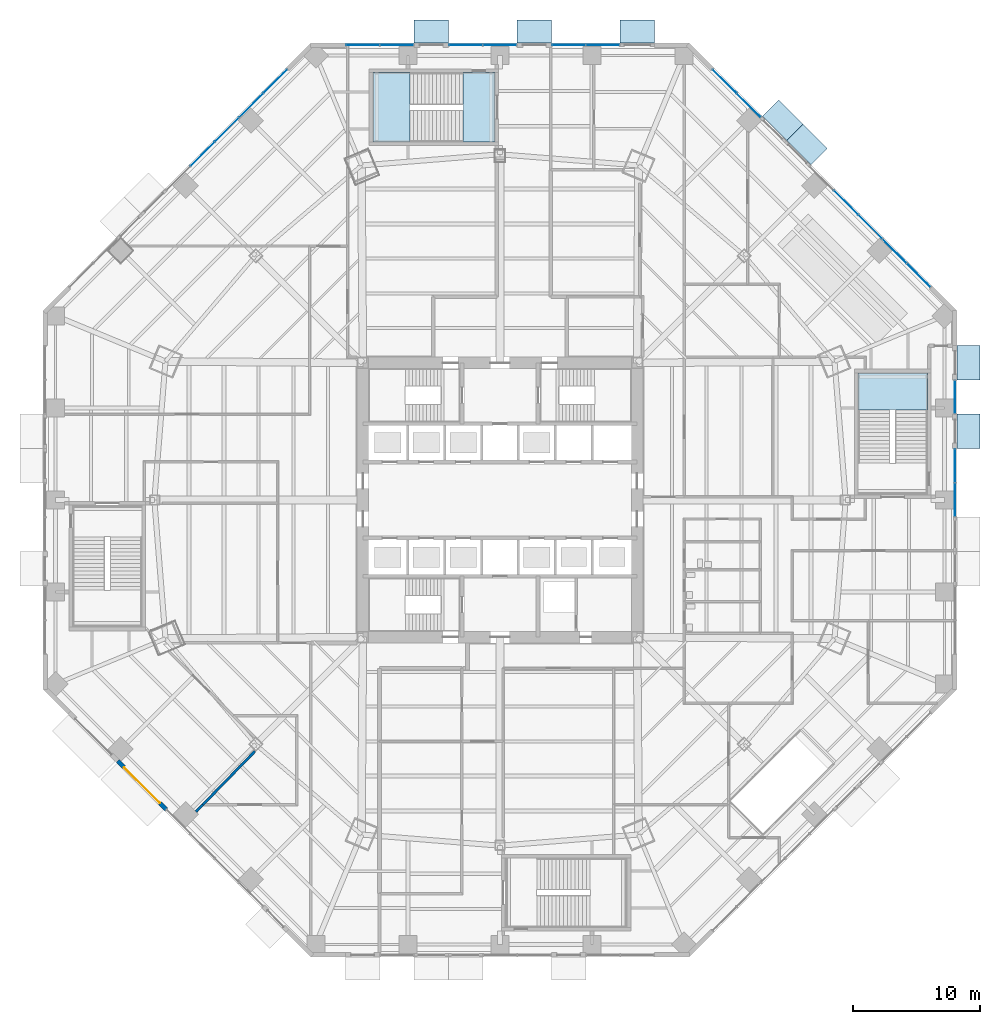
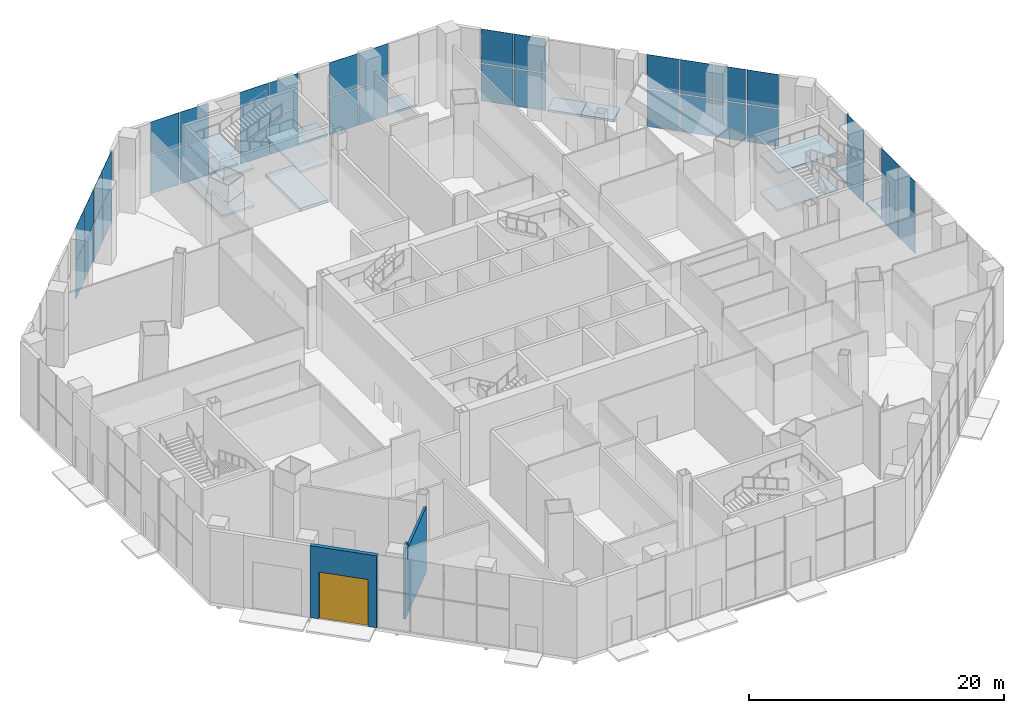
# One storey, part 18 of 35: 38 plates, 13 slabs, 3 walls, 1 door, 1 opening, 10 elements without a shape of their own.
"""IFC4 building model written with IfcOpenShell, lengths in metres."""

from ifc_helpers import new_model, si_unit, direction, frame, frame_2d, origin, origin_2d, place, context, subcontext, project, spatial, polyline, rectangle, outline, extrude, source, transform, mapped, material, layer, layer_set, type_object, type_shapes, element, fill, aggregate, save


model = new_model("IFC4")

# Units and contexts
model_context = context("Model", 3, precision=1e-05, world=origin(), true_north=direction((0.0, 1.0)))
body_context = subcontext(model_context, "Body", "Model", "MODEL_VIEW")
ifc_project = project(units=[si_unit("LENGTHUNIT", "METRE"), si_unit("AREAUNIT", "SQUARE_METRE"), si_unit("VOLUMEUNIT", "CUBIC_METRE"), si_unit("PLANEANGLEUNIT", "RADIAN"), si_unit("MASSUNIT", "GRAM", prefix="KILO")], contexts=[model_context])

# Site, building, storey
site_placement = place(None, origin())
site = spatial("IfcSite", under=ifc_project, at=site_placement, CompositionType="ELEMENT")
building_placement = place(site_placement, origin())
building = spatial("IfcBuilding", under=site, at=building_placement, Name="Mashrafa Tower", CompositionType="ELEMENT")
storey_placement = place(building_placement, origin())
storey = spatial("IfcBuildingStorey", under=building, at=storey_placement, Name="L00", CompositionType="ELEMENT", Elevation=0.0)

# Slabs
ifc_material_1 = material(Name="Concrete C35/45", Category="concrete")
ifc_layer_1 = layer(ifc_material_1, 0.169921875)
ifc_material_2 = material(Name="Limestone paving", Category="masonry")
ifc_layer_2 = layer(ifc_material_2, 0.030029296875)
ifc_layer_set_1 = layer_set([ifc_layer_1, ifc_layer_2], Name="Exterior entrance landing 200")
slab_type_1 = type_object("IfcSlabType", Name="Exterior entrance landing 200", PredefinedType="LANDING", material=ifc_layer_set_1)
slab_1_placement = place(storey_placement, frame((0.0, 0.0, -0.199951171875)))
element("IfcSlab", 1, at=slab_1_placement, inside=storey, type_object=slab_type_1, Name="Exterior landing Stair P1 exit discharge east", PredefinedType="LANDING", context=body_context, shape_type="SweptSolid", body=[
    extrude(outline(polyline([(37.800048828125, 4.055419921875), (37.800048828125, 6.75927734375), (36.0, 6.75927734375), (36.0, 4.055419921875), (37.800048828125, 4.055419921875)])), origin(), (0.0, 0.0, 1.0), 0.199951171875),
])
slab_2_placement = place(storey_placement, frame((0.0, 0.0, -0.199951171875)))
element("IfcSlab", 2, at=slab_2_placement, inside=storey, type_object=slab_type_1, Name="Exterior landing Exhibition exit passage discharge east", PredefinedType="LANDING", context=body_context, shape_type="SweptSolid", body=[
    extrude(outline(polyline([(37.800048828125, 9.462890625), (37.800048828125, 12.16650390625), (36.0, 12.16650390625), (36.0, 9.462890625), (37.800048828125, 9.462890625)])), origin(), (0.0, 0.0, 1.0), 0.199951171875),
])
slab_3_placement = place(storey_placement, frame((0.0, 0.0, -0.199951171875)))
element("IfcSlab", 3, at=slab_3_placement, inside=storey, type_object=slab_type_1, Name="Exterior landing Exhibition entrance north-east", PredefinedType="LANDING", context=body_context, shape_type="SweptSolid", body=[
    extrude(outline(polyline([(25.772705078125, 27.6845703125), (23.86083984375, 29.596435546875), (22.588134765625, 28.323486328125), (24.5, 26.41162109375), (25.772705078125, 27.6845703125)])), origin(), (0.0, 0.0, 1.0), 0.199951171875),
])
slab_4_placement = place(storey_placement, frame((0.0, 0.0, -0.199951171875)))
element("IfcSlab", 4, at=slab_4_placement, inside=storey, type_object=slab_type_1, Name="Exterior landing Exhibition entrance north-east", PredefinedType="LANDING", context=body_context, shape_type="SweptSolid", body=[
    extrude(outline(polyline([(23.86083984375, 29.596435546875), (21.94921875, 31.508056640625), (20.67626953125, 30.2353515625), (22.588134765625, 28.323486328125), (23.86083984375, 29.596435546875)])), origin(), (0.0, 0.0, 1.0), 0.199951171875),
])
slab_5_placement = place(storey_placement, frame((0.0, 0.0, -0.199951171875)))
element("IfcSlab", 5, at=slab_5_placement, inside=storey, type_object=slab_type_1, Name="Exterior landing Office lobby entrance north", PredefinedType="LANDING", context=body_context, shape_type="SweptSolid", body=[
    extrude(outline(polyline([(12.16650390625, 37.800048828125), (9.462890625, 37.800048828125), (9.462890625, 36.0), (12.16650390625, 36.0), (12.16650390625, 37.800048828125)])), origin(), (0.0, 0.0, 1.0), 0.199951171875),
])
slab_6_placement = place(storey_placement, frame((0.0, 0.0, -0.199951171875)))
element("IfcSlab", 6, at=slab_6_placement, inside=storey, type_object=slab_type_1, Name="Exterior landing Stairs S1 and S2 exit discharge north", PredefinedType="LANDING", context=body_context, shape_type="SweptSolid", body=[
    extrude(outline(polyline([(4.055419921875, 37.800048828125), (1.351806640625, 37.800048828125), (1.351806640625, 36.0), (4.055419921875, 36.0), (4.055419921875, 37.800048828125)])), origin(), (0.0, 0.0, 1.0), 0.199951171875),
])
slab_7_placement = place(storey_placement, frame((0.0, 0.0, -0.199951171875)))
element("IfcSlab", 7, at=slab_7_placement, inside=storey, type_object=slab_type_1, Name="Exterior landing Stair P2 exit discharge north", PredefinedType="LANDING", context=body_context, shape_type="SweptSolid", body=[
    extrude(outline(polyline([(-4.055419921875, 37.800048828125), (-6.75927734375, 37.800048828125), (-6.75927734375, 36.0), (-4.055419921875, 36.0), (-4.055419921875, 37.800048828125)])), origin(), (0.0, 0.0, 1.0), 0.199951171875),
])

# Stair, slabs
ifc_material_3 = material(Name="Exit stair 2500")
stair_type = type_object("IfcStairType", Name="Exit stair 2500", PredefinedType="HALF_TURN_STAIR", material=ifc_material_3)
stair_1_placement = place(storey_placement, origin())
stair_1 = element("IfcStair", 8, at=stair_1_placement, inside=storey, type_object=stair_type, Name="Stair P1 L00", PredefinedType="HALF_TURN_STAIR")
ifc_material_4 = material(Name="Concrete C32/40", Category="concrete")
ifc_layer_3 = layer(ifc_material_4, 0.199951171875)
ifc_layer_set_2 = layer_set([ifc_layer_3], Name="Stair landing 200")
slab_type_2 = type_object("IfcSlabType", Name="Stair landing 200", PredefinedType="LANDING", material=ifc_layer_set_2)
slab_8_placement = place(storey_placement, frame((0.0, 0.0, 1.60009765625)))
slab_8 = element("IfcSlab", 9, at=slab_8_placement, type_object=slab_type_2, Name="P1 landing 2", PredefinedType="LANDING", context=body_context, shape_type="SweptSolid", body=[
    extrude(outline(polyline([(33.64990234375, 7.090087890625), (33.64990234375, 10.0), (28.199951171875, 10.0), (28.199951171875, 7.090087890625), (33.64990234375, 7.090087890625)])), origin(), (0.0, 0.0, 1.0), 0.199951171875),
])
slab_9_placement = place(storey_placement, frame((0.0, 0.0, 5.199951171875)))
slab_9 = element("IfcSlab", 10, at=slab_9_placement, type_object=slab_type_2, Name="P1 landing 4", PredefinedType="LANDING", context=body_context, shape_type="SweptSolid", body=[
    extrude(outline(polyline([(33.64990234375, 7.090087890625), (33.64990234375, 10.0), (28.199951171875, 10.0), (28.199951171875, 7.090087890625), (33.64990234375, 7.090087890625)])), origin(), (0.0, 0.0, 1.0), 0.199951171875),
])
aggregate(stair_1, [slab_8, slab_9])

stair_2_placement = place(storey_placement, origin())
stair_2 = element("IfcStair", 11, at=stair_2_placement, inside=storey, type_object=stair_type, Name="Stair P2 L00", PredefinedType="HALF_TURN_STAIR")
slab_10_placement = place(storey_placement, frame((0.0, 0.0, 1.60009765625)))
slab_10 = element("IfcSlab", 12, at=slab_10_placement, type_object=slab_type_2, Name="P2 landing 2", PredefinedType="LANDING", context=body_context, shape_type="SweptSolid", body=[
    extrude(outline(polyline([(-10.0, 28.199951171875), (-7.090087890625, 28.199951171875), (-7.090087890625, 33.64990234375), (-10.0, 33.64990234375), (-10.0, 28.199951171875)])), origin(), (0.0, 0.0, 1.0), 0.199951171875),
])
slab_11_placement = place(storey_placement, frame((0.0, 0.0, 3.39990234375)))
slab_11 = element("IfcSlab", 13, at=slab_11_placement, type_object=slab_type_2, Name="P2 landing 3", PredefinedType="LANDING", context=body_context, shape_type="SweptSolid", body=[
    extrude(outline(polyline([(-2.909912109375, 28.199951171875), (-0.39990234375, 28.199951171875), (-0.39990234375, 33.64990234375), (-2.909912109375, 33.64990234375), (-2.909912109375, 28.199951171875)])), origin(), (0.0, 0.0, 1.0), 0.2001953125),
])
slab_12_placement = place(storey_placement, frame((0.0, 0.0, 5.199951171875)))
slab_12 = element("IfcSlab", 14, at=slab_12_placement, type_object=slab_type_2, Name="P2 landing 4", PredefinedType="LANDING", context=body_context, shape_type="SweptSolid", body=[
    extrude(outline(polyline([(-10.0, 28.199951171875), (-7.090087890625, 28.199951171875), (-7.090087890625, 33.64990234375), (-10.0, 33.64990234375), (-10.0, 28.199951171875)])), origin(), (0.0, 0.0, 1.0), 0.199951171875),
])
ifc_material_5 = material(Name="Concrete C32/40", Category="concrete")
ifc_layer_4 = layer(ifc_material_5, 0.300048828125)
ifc_layer_set_3 = layer_set([ifc_layer_4], Name="Stair landing 300")
slab_type_3 = type_object("IfcSlabType", Name="Stair landing 300", PredefinedType="LANDING", material=ifc_layer_set_3)
slab_13_placement = place(storey_placement, frame((0.0, 0.0, -0.300048828125)))
slab_13 = element("IfcSlab", 15, at=slab_13_placement, type_object=slab_type_3, Name="P2 landing 1", PredefinedType="LANDING", context=body_context, shape_type="SweptSolid", body=[
    extrude(outline(polyline([(-2.909912109375, 28.199951171875), (-0.39990234375, 28.199951171875), (-0.39990234375, 33.64990234375), (-2.909912109375, 33.64990234375), (-2.909912109375, 28.199951171875)])), origin(), (0.0, 0.0, 1.0), 0.300048828125),
])
aggregate(stair_2, [slab_13, slab_10, slab_11, slab_12])

# Curtain wall, plates
ifc_material_6 = material(Name="Unitised aluminium curtain wall", Category="aluminium")
curtain_wall_type = type_object("IfcCurtainWallType", Name="Podium storefront CW-P 150 deep", PredefinedType="NOTDEFINED", material=ifc_material_6)
curtain_wall_1_placement = place(storey_placement, origin())
curtain_wall_1 = element("IfcCurtainWall", 16, at=curtain_wall_1_placement, inside=storey, type_object=curtain_wall_type, Name="Podium storefront L00 east part 2", PredefinedType="NOTDEFINED")
ifc_material_7 = material(Name="Laminated storefront glazing", Category="glass")
ifc_layer_5 = layer(ifc_material_7, 0.028076171875)
ifc_layer_set_4 = layer_set([ifc_layer_5], Name="Vision panel CW-P 28")
plate_type_1 = type_object("IfcPlateType", Name="Vision panel CW-P 28", PredefinedType="CURTAIN_PANEL", material=ifc_layer_set_4)
shared_shape_1 = source(origin(), body_context, "Body", "SweptSolid", [
    extrude(rectangle(XDim=2.606201171875, YDim=0.028076171875, at=origin_2d()), origin(), (0.0, 0.0, 1.0), 3.550048828125),
])
plate_1_placement = place(storey_placement, frame((35.824951171875, 0.016357421875, 0.0), z_axis=(0.0, 0.0, 1.0), x_axis=(0.0, 1.0, 0.0)))
plate_1 = element("IfcPlate", 17, at=plate_1_placement, type_object=plate_type_1, Name="CW-P vision panel 1", PredefinedType="CURTAIN_PANEL", context=body_context, shape_type="MappedRepresentation", body=[
    mapped(shared_shape_1, transform((0.0, 0.0, 0.0))),
])
plate_2_placement = place(storey_placement, frame((35.824951171875, 2.6875, 0.0), z_axis=(0.0, 0.0, 1.0), x_axis=(0.0, 1.0, 0.0)))
plate_2 = element("IfcPlate", 18, at=plate_2_placement, type_object=plate_type_1, Name="CW-P vision panel 2", PredefinedType="CURTAIN_PANEL", context=body_context, shape_type="MappedRepresentation", body=[
    mapped(shared_shape_1, transform((0.0, 0.0, 0.0))),
])

# Curtain wall, plate
curtain_wall_2_placement = place(storey_placement, origin())
curtain_wall_2 = element("IfcCurtainWall", 19, at=curtain_wall_2_placement, inside=storey, type_object=curtain_wall_type, Name="Podium storefront L00 north-east part 1", PredefinedType="NOTDEFINED")
plate_3_placement = place(storey_placement, frame((32.9677734375, 17.696533203125, 0.0), z_axis=(0.0, 0.0, 1.0), x_axis=(-0.707106781187, 0.707106781187, 0.0)))
plate_3 = element("IfcPlate", 20, at=plate_3_placement, type_object=plate_type_1, Name="CW-P vision panel 1", PredefinedType="CURTAIN_PANEL", context=body_context, shape_type="MappedRepresentation", body=[
    mapped(shared_shape_1, transform((0.0, 0.0, 0.0))),
])

# Curtain wall, plates
curtain_wall_3_placement = place(storey_placement, origin())
curtain_wall_3 = element("IfcCurtainWall", 21, at=curtain_wall_3_placement, inside=storey, type_object=curtain_wall_type, Name="Podium storefront L00 north-east part 2", PredefinedType="NOTDEFINED")
plate_4_placement = place(storey_placement, frame((19.585205078125, 31.078857421875, 0.0), z_axis=(0.0, 0.0, 1.0), x_axis=(-0.707106781187, 0.707106781187, 0.0)))
plate_4 = element("IfcPlate", 22, at=plate_4_placement, type_object=plate_type_1, Name="CW-P vision panel 1", PredefinedType="CURTAIN_PANEL", context=body_context, shape_type="MappedRepresentation", body=[
    mapped(shared_shape_1, transform((0.0, 0.0, 0.0))),
])
plate_5_placement = place(storey_placement, frame((17.696533203125, 32.9677734375, 0.0), z_axis=(0.0, 0.0, 1.0), x_axis=(-0.707106781187, 0.707106781187, 0.0)))
plate_5 = element("IfcPlate", 23, at=plate_5_placement, type_object=plate_type_1, Name="CW-P vision panel 2", PredefinedType="CURTAIN_PANEL", context=body_context, shape_type="MappedRepresentation", body=[
    mapped(shared_shape_1, transform((0.0, 0.0, 0.0))),
])

curtain_wall_4_placement = place(storey_placement, origin())
curtain_wall_4 = element("IfcCurtainWall", 24, at=curtain_wall_4_placement, inside=storey, type_object=curtain_wall_type, Name="Podium storefront L00 north part 1", PredefinedType="NOTDEFINED")
plate_6_placement = place(storey_placement, frame((8.0947265625, 35.824951171875, 0.0), z_axis=(0.0, 0.0, 1.0), x_axis=(-1.0, 0.0, 0.0)))
plate_6 = element("IfcPlate", 25, at=plate_6_placement, type_object=plate_type_1, Name="CW-P vision panel 1", PredefinedType="CURTAIN_PANEL", context=body_context, shape_type="MappedRepresentation", body=[
    mapped(shared_shape_1, transform((0.0, 0.0, 0.0))),
])
plate_7_placement = place(storey_placement, frame((5.423583984375, 35.824951171875, 0.0), z_axis=(0.0, 0.0, 1.0), x_axis=(-1.0, 0.0, 0.0)))
plate_7 = element("IfcPlate", 26, at=plate_7_placement, type_object=plate_type_1, Name="CW-P vision panel 2", PredefinedType="CURTAIN_PANEL", context=body_context, shape_type="MappedRepresentation", body=[
    mapped(shared_shape_1, transform((0.0, 0.0, 0.0))),
])

curtain_wall_5_placement = place(storey_placement, origin())
curtain_wall_5 = element("IfcCurtainWall", 27, at=curtain_wall_5_placement, inside=storey, type_object=curtain_wall_type, Name="Podium storefront L00 north part 2", PredefinedType="NOTDEFINED")
plate_8_placement = place(storey_placement, frame((-0.016357421875, 35.824951171875, 0.0), z_axis=(0.0, 0.0, 1.0), x_axis=(-1.0, 0.0, 0.0)))
plate_8 = element("IfcPlate", 28, at=plate_8_placement, type_object=plate_type_1, Name="CW-P vision panel 1", PredefinedType="CURTAIN_PANEL", context=body_context, shape_type="MappedRepresentation", body=[
    mapped(shared_shape_1, transform((0.0, 0.0, 0.0))),
])
plate_9_placement = place(storey_placement, frame((-2.6875, 35.824951171875, 0.0), z_axis=(0.0, 0.0, 1.0), x_axis=(-1.0, 0.0, 0.0)))
plate_9 = element("IfcPlate", 29, at=plate_9_placement, type_object=plate_type_1, Name="CW-P vision panel 2", PredefinedType="CURTAIN_PANEL", context=body_context, shape_type="MappedRepresentation", body=[
    mapped(shared_shape_1, transform((0.0, 0.0, 0.0))),
])

curtain_wall_6_placement = place(storey_placement, origin())
curtain_wall_6 = element("IfcCurtainWall", 30, at=curtain_wall_6_placement, inside=storey, type_object=curtain_wall_type, Name="Podium storefront L00 north part 3", PredefinedType="NOTDEFINED")
plate_10_placement = place(storey_placement, frame((-8.127197265625, 35.824951171875, 0.0), z_axis=(0.0, 0.0, 1.0), x_axis=(-1.0, 0.0, 0.0)))
plate_10 = element("IfcPlate", 31, at=plate_10_placement, type_object=plate_type_1, Name="CW-P vision panel 1", PredefinedType="CURTAIN_PANEL", context=body_context, shape_type="MappedRepresentation", body=[
    mapped(shared_shape_1, transform((0.0, 0.0, 0.0))),
])
plate_11_placement = place(storey_placement, frame((-10.798583984375, 35.824951171875, 0.0), z_axis=(0.0, 0.0, 1.0), x_axis=(-1.0, 0.0, 0.0)))
plate_11 = element("IfcPlate", 32, at=plate_11_placement, type_object=plate_type_1, Name="CW-P vision panel 2", PredefinedType="CURTAIN_PANEL", context=body_context, shape_type="MappedRepresentation", body=[
    mapped(shared_shape_1, transform((0.0, 0.0, 0.0))),
])

# Curtain wall, plate
curtain_wall_7_placement = place(storey_placement, origin())
curtain_wall_7 = element("IfcCurtainWall", 33, at=curtain_wall_7_placement, inside=storey, type_object=curtain_wall_type, Name="Podium storefront L00 north-west part 1", PredefinedType="NOTDEFINED")
plate_12_placement = place(storey_placement, frame((-17.696533203125, 32.9677734375, 0.0), z_axis=(0.0, 0.0, 1.0), x_axis=(-0.707106781187, -0.707106781187, 0.0)))
plate_12 = element("IfcPlate", 34, at=plate_12_placement, type_object=plate_type_1, Name="CW-P vision panel 1", PredefinedType="CURTAIN_PANEL", context=body_context, shape_type="MappedRepresentation", body=[
    mapped(shared_shape_1, transform((0.0, 0.0, 0.0))),
])

# Plate
ifc_material_8 = material(Name="Laminated transom glazing", Category="glass")
ifc_layer_6 = layer(ifc_material_8, 0.02392578125)
ifc_layer_set_5 = layer_set([ifc_layer_6], Name="Transom light panel CW-P 24")
plate_type_2 = type_object("IfcPlateType", Name="Transom light panel CW-P 24", PredefinedType="CURTAIN_PANEL", material=ifc_layer_set_5)
shared_shape_2 = source(origin(), body_context, "Body", "SweptSolid", [
    extrude(rectangle(XDim=2.606201171875, YDim=0.02392578125, at=origin_2d()), origin(), (0.0, 0.0, 1.0), 3.25),
])
plate_13_placement = place(storey_placement, frame((35.824951171875, 0.016357421875, 3.64990234375), z_axis=(0.0, 0.0, 1.0), x_axis=(0.0, 1.0, 0.0)))
plate_13 = element("IfcPlate", 35, at=plate_13_placement, type_object=plate_type_2, Name="CW-P transom light panel 1", PredefinedType="CURTAIN_PANEL", context=body_context, shape_type="MappedRepresentation", body=[
    mapped(shared_shape_2, transform((0.0, 0.0, 0.0))),
])

plate_14_placement = place(storey_placement, frame((35.824951171875, 2.6875, 3.64990234375), z_axis=(0.0, 0.0, 1.0), x_axis=(0.0, 1.0, 0.0)))
plate_14 = element("IfcPlate", 36, at=plate_14_placement, type_object=plate_type_2, Name="CW-P transom light panel 2", PredefinedType="CURTAIN_PANEL", context=body_context, shape_type="MappedRepresentation", body=[
    mapped(shared_shape_2, transform((0.0, 0.0, 0.0))),
])

aggregate(curtain_wall_1, [plate_1, plate_13, plate_2, plate_14])

plate_15_placement = place(storey_placement, frame((32.9677734375, 17.696533203125, 3.64990234375), z_axis=(0.0, 0.0, 1.0), x_axis=(-0.707106781187, 0.707106781187, 0.0)))
plate_15 = element("IfcPlate", 37, at=plate_15_placement, type_object=plate_type_2, Name="CW-P transom light panel 1", PredefinedType="CURTAIN_PANEL", context=body_context, shape_type="MappedRepresentation", body=[
    mapped(shared_shape_2, transform((0.0, 0.0, 0.0))),
])

plate_16_placement = place(storey_placement, frame((19.585205078125, 31.078857421875, 3.64990234375), z_axis=(0.0, 0.0, 1.0), x_axis=(-0.707106781187, 0.707106781187, 0.0)))
plate_16 = element("IfcPlate", 38, at=plate_16_placement, type_object=plate_type_2, Name="CW-P transom light panel 1", PredefinedType="CURTAIN_PANEL", context=body_context, shape_type="MappedRepresentation", body=[
    mapped(shared_shape_2, transform((0.0, 0.0, 0.0))),
])

plate_17_placement = place(storey_placement, frame((17.696533203125, 32.9677734375, 3.64990234375), z_axis=(0.0, 0.0, 1.0), x_axis=(-0.707106781187, 0.707106781187, 0.0)))
plate_17 = element("IfcPlate", 39, at=plate_17_placement, type_object=plate_type_2, Name="CW-P transom light panel 2", PredefinedType="CURTAIN_PANEL", context=body_context, shape_type="MappedRepresentation", body=[
    mapped(shared_shape_2, transform((0.0, 0.0, 0.0))),
])

aggregate(curtain_wall_3, [plate_4, plate_16, plate_5, plate_17])

plate_18_placement = place(storey_placement, frame((8.0947265625, 35.824951171875, 3.64990234375), z_axis=(0.0, 0.0, 1.0), x_axis=(-1.0, 0.0, 0.0)))
plate_18 = element("IfcPlate", 40, at=plate_18_placement, type_object=plate_type_2, Name="CW-P transom light panel 1", PredefinedType="CURTAIN_PANEL", context=body_context, shape_type="MappedRepresentation", body=[
    mapped(shared_shape_2, transform((0.0, 0.0, 0.0))),
])

plate_19_placement = place(storey_placement, frame((5.423583984375, 35.824951171875, 3.64990234375), z_axis=(0.0, 0.0, 1.0), x_axis=(-1.0, 0.0, 0.0)))
plate_19 = element("IfcPlate", 41, at=plate_19_placement, type_object=plate_type_2, Name="CW-P transom light panel 2", PredefinedType="CURTAIN_PANEL", context=body_context, shape_type="MappedRepresentation", body=[
    mapped(shared_shape_2, transform((0.0, 0.0, 0.0))),
])

aggregate(curtain_wall_4, [plate_6, plate_18, plate_7, plate_19])

plate_20_placement = place(storey_placement, frame((-0.016357421875, 35.824951171875, 3.64990234375), z_axis=(0.0, 0.0, 1.0), x_axis=(-1.0, 0.0, 0.0)))
plate_20 = element("IfcPlate", 42, at=plate_20_placement, type_object=plate_type_2, Name="CW-P transom light panel 1", PredefinedType="CURTAIN_PANEL", context=body_context, shape_type="MappedRepresentation", body=[
    mapped(shared_shape_2, transform((0.0, 0.0, 0.0))),
])

plate_21_placement = place(storey_placement, frame((-2.6875, 35.824951171875, 3.64990234375), z_axis=(0.0, 0.0, 1.0), x_axis=(-1.0, 0.0, 0.0)))
plate_21 = element("IfcPlate", 43, at=plate_21_placement, type_object=plate_type_2, Name="CW-P transom light panel 2", PredefinedType="CURTAIN_PANEL", context=body_context, shape_type="MappedRepresentation", body=[
    mapped(shared_shape_2, transform((0.0, 0.0, 0.0))),
])

aggregate(curtain_wall_5, [plate_8, plate_20, plate_9, plate_21])

plate_22_placement = place(storey_placement, frame((-8.127197265625, 35.824951171875, 3.64990234375), z_axis=(0.0, 0.0, 1.0), x_axis=(-1.0, 0.0, 0.0)))
plate_22 = element("IfcPlate", 44, at=plate_22_placement, type_object=plate_type_2, Name="CW-P transom light panel 1", PredefinedType="CURTAIN_PANEL", context=body_context, shape_type="MappedRepresentation", body=[
    mapped(shared_shape_2, transform((0.0, 0.0, 0.0))),
])

plate_23_placement = place(storey_placement, frame((-10.798583984375, 35.824951171875, 3.64990234375), z_axis=(0.0, 0.0, 1.0), x_axis=(-1.0, 0.0, 0.0)))
plate_23 = element("IfcPlate", 45, at=plate_23_placement, type_object=plate_type_2, Name="CW-P transom light panel 2", PredefinedType="CURTAIN_PANEL", context=body_context, shape_type="MappedRepresentation", body=[
    mapped(shared_shape_2, transform((0.0, 0.0, 0.0))),
])

aggregate(curtain_wall_6, [plate_10, plate_22, plate_11, plate_23])

plate_24_placement = place(storey_placement, frame((-17.696533203125, 32.9677734375, 3.64990234375), z_axis=(0.0, 0.0, 1.0), x_axis=(-0.707106781187, -0.707106781187, 0.0)))
plate_24 = element("IfcPlate", 46, at=plate_24_placement, type_object=plate_type_2, Name="CW-P transom light panel 1", PredefinedType="CURTAIN_PANEL", context=body_context, shape_type="MappedRepresentation", body=[
    mapped(shared_shape_2, transform((0.0, 0.0, 0.0))),
])

# Curtain wall, plates
curtain_wall_8_placement = place(storey_placement, origin())
curtain_wall_8 = element("IfcCurtainWall", 47, at=curtain_wall_8_placement, inside=storey, type_object=curtain_wall_type, Name="Podium storefront L00 east part 3", PredefinedType="NOTDEFINED")
shared_shape_3 = source(origin(), body_context, "Body", "SweptSolid", [
    extrude(rectangle(XDim=2.57373046875, YDim=0.028076171875, at=origin_2d()), origin(), (0.0, 0.0, 1.0), 3.550048828125),
])
plate_25_placement = place(storey_placement, frame((35.824951171875, 8.111083984375, 0.0), z_axis=(0.0, 0.0, 1.0), x_axis=(0.0, 1.0, 0.0)))
plate_25 = element("IfcPlate", 48, at=plate_25_placement, type_object=plate_type_1, Name="CW-P vision panel 1", PredefinedType="CURTAIN_PANEL", context=body_context, shape_type="MappedRepresentation", body=[
    mapped(shared_shape_3, transform((0.0, 0.0, 0.0))),
])
shared_shape_4 = source(origin(), body_context, "Body", "SweptSolid", [
    extrude(rectangle(XDim=2.57373046875, YDim=0.02392578125, at=origin_2d()), origin(), (0.0, 0.0, 1.0), 3.25),
])
plate_26_placement = place(storey_placement, frame((35.824951171875, 8.111083984375, 3.64990234375), z_axis=(0.0, 0.0, 1.0), x_axis=(0.0, 1.0, 0.0)))
plate_26 = element("IfcPlate", 49, at=plate_26_placement, type_object=plate_type_2, Name="CW-P transom light panel 1", PredefinedType="CURTAIN_PANEL", context=body_context, shape_type="MappedRepresentation", body=[
    mapped(shared_shape_4, transform((0.0, 0.0, 0.0))),
])
aggregate(curtain_wall_8, [plate_25, plate_26])

# Plate
shared_shape_5 = source(origin(), body_context, "Body", "SweptSolid", [
    extrude(rectangle(XDim=2.638671875, YDim=0.028076171875, at=origin_2d()), origin(), (0.0, 0.0, 1.0), 3.550048828125),
])
type_shapes(plate_type_1, [shared_shape_1, shared_shape_3, shared_shape_5])
plate_27_placement = place(storey_placement, frame((31.0673828125, 19.5966796875, 0.0), z_axis=(0.0, 0.0, 1.0), x_axis=(-0.707106781187, 0.707106781187, 0.0)))
plate_27 = element("IfcPlate", 50, at=plate_27_placement, type_object=plate_type_1, Name="CW-P vision panel 2", PredefinedType="CURTAIN_PANEL", context=body_context, shape_type="MappedRepresentation", body=[
    mapped(shared_shape_5, transform((0.0, 0.0, 0.0))),
])

plate_28_placement = place(storey_placement, frame((29.15576171875, 21.508544921875, 0.0), z_axis=(0.0, 0.0, 1.0), x_axis=(-0.707106781187, 0.707106781187, 0.0)))
plate_28 = element("IfcPlate", 51, at=plate_28_placement, type_object=plate_type_1, Name="CW-P vision panel 3", PredefinedType="CURTAIN_PANEL", context=body_context, shape_type="MappedRepresentation", body=[
    mapped(shared_shape_5, transform((0.0, 0.0, 0.0))),
])

plate_29_placement = place(storey_placement, frame((27.243896484375, 23.42041015625, 0.0), z_axis=(0.0, 0.0, 1.0), x_axis=(-0.707106781187, 0.707106781187, 0.0)))
plate_29 = element("IfcPlate", 52, at=plate_29_placement, type_object=plate_type_1, Name="CW-P vision panel 4", PredefinedType="CURTAIN_PANEL", context=body_context, shape_type="MappedRepresentation", body=[
    mapped(shared_shape_5, transform((0.0, 0.0, 0.0))),
])

plate_30_placement = place(storey_placement, frame((-19.5966796875, 31.0673828125, 0.0), z_axis=(0.0, 0.0, 1.0), x_axis=(-0.707106781187, -0.707106781187, 0.0)))
plate_30 = element("IfcPlate", 53, at=plate_30_placement, type_object=plate_type_1, Name="CW-P vision panel 2", PredefinedType="CURTAIN_PANEL", context=body_context, shape_type="MappedRepresentation", body=[
    mapped(shared_shape_5, transform((0.0, 0.0, 0.0))),
])

plate_31_placement = place(storey_placement, frame((-21.508544921875, 29.15576171875, 0.0), z_axis=(0.0, 0.0, 1.0), x_axis=(-0.707106781187, -0.707106781187, 0.0)))
plate_31 = element("IfcPlate", 54, at=plate_31_placement, type_object=plate_type_1, Name="CW-P vision panel 3", PredefinedType="CURTAIN_PANEL", context=body_context, shape_type="MappedRepresentation", body=[
    mapped(shared_shape_5, transform((0.0, 0.0, 0.0))),
])

plate_32_placement = place(storey_placement, frame((-23.42041015625, 27.243896484375, 0.0), z_axis=(0.0, 0.0, 1.0), x_axis=(-0.707106781187, -0.707106781187, 0.0)))
plate_32 = element("IfcPlate", 55, at=plate_32_placement, type_object=plate_type_1, Name="CW-P vision panel 4", PredefinedType="CURTAIN_PANEL", context=body_context, shape_type="MappedRepresentation", body=[
    mapped(shared_shape_5, transform((0.0, 0.0, 0.0))),
])

shared_shape_6 = source(origin(), body_context, "Body", "SweptSolid", [
    extrude(rectangle(XDim=2.638671875, YDim=0.02392578125, at=origin_2d()), origin(), (0.0, 0.0, 1.0), 3.25),
])
type_shapes(plate_type_2, [shared_shape_2, shared_shape_4, shared_shape_6])
plate_33_placement = place(storey_placement, frame((31.0673828125, 19.5966796875, 3.64990234375), z_axis=(0.0, 0.0, 1.0), x_axis=(-0.707106781187, 0.707106781187, 0.0)))
plate_33 = element("IfcPlate", 56, at=plate_33_placement, type_object=plate_type_2, Name="CW-P transom light panel 2", PredefinedType="CURTAIN_PANEL", context=body_context, shape_type="MappedRepresentation", body=[
    mapped(shared_shape_6, transform((0.0, 0.0, 0.0))),
])

plate_34_placement = place(storey_placement, frame((29.15576171875, 21.508544921875, 3.64990234375), z_axis=(0.0, 0.0, 1.0), x_axis=(-0.707106781187, 0.707106781187, 0.0)))
plate_34 = element("IfcPlate", 57, at=plate_34_placement, type_object=plate_type_2, Name="CW-P transom light panel 3", PredefinedType="CURTAIN_PANEL", context=body_context, shape_type="MappedRepresentation", body=[
    mapped(shared_shape_6, transform((0.0, 0.0, 0.0))),
])

plate_35_placement = place(storey_placement, frame((27.243896484375, 23.42041015625, 3.64990234375), z_axis=(0.0, 0.0, 1.0), x_axis=(-0.707106781187, 0.707106781187, 0.0)))
plate_35 = element("IfcPlate", 58, at=plate_35_placement, type_object=plate_type_2, Name="CW-P transom light panel 4", PredefinedType="CURTAIN_PANEL", context=body_context, shape_type="MappedRepresentation", body=[
    mapped(shared_shape_6, transform((0.0, 0.0, 0.0))),
])

aggregate(curtain_wall_2, [plate_3, plate_15, plate_27, plate_33, plate_28, plate_34, plate_29, plate_35])

plate_36_placement = place(storey_placement, frame((-19.5966796875, 31.0673828125, 3.64990234375), z_axis=(0.0, 0.0, 1.0), x_axis=(-0.707106781187, -0.707106781187, 0.0)))
plate_36 = element("IfcPlate", 59, at=plate_36_placement, type_object=plate_type_2, Name="CW-P transom light panel 2", PredefinedType="CURTAIN_PANEL", context=body_context, shape_type="MappedRepresentation", body=[
    mapped(shared_shape_6, transform((0.0, 0.0, 0.0))),
])

plate_37_placement = place(storey_placement, frame((-21.508544921875, 29.15576171875, 3.64990234375), z_axis=(0.0, 0.0, 1.0), x_axis=(-0.707106781187, -0.707106781187, 0.0)))
plate_37 = element("IfcPlate", 60, at=plate_37_placement, type_object=plate_type_2, Name="CW-P transom light panel 3", PredefinedType="CURTAIN_PANEL", context=body_context, shape_type="MappedRepresentation", body=[
    mapped(shared_shape_6, transform((0.0, 0.0, 0.0))),
])

plate_38_placement = place(storey_placement, frame((-23.42041015625, 27.243896484375, 3.64990234375), z_axis=(0.0, 0.0, 1.0), x_axis=(-0.707106781187, -0.707106781187, 0.0)))
plate_38 = element("IfcPlate", 61, at=plate_38_placement, type_object=plate_type_2, Name="CW-P transom light panel 4", PredefinedType="CURTAIN_PANEL", context=body_context, shape_type="MappedRepresentation", body=[
    mapped(shared_shape_6, transform((0.0, 0.0, 0.0))),
])

aggregate(curtain_wall_7, [plate_12, plate_24, plate_30, plate_36, plate_31, plate_37, plate_32, plate_38])

# Walls
ifc_material_9 = material(Name="Concrete masonry unit", Category="masonry")
ifc_layer_7 = layer(ifc_material_9, 0.199951171875)
ifc_layer_set_6 = layer_set([ifc_layer_7], Name="Blockwork wall 200 2 hr")
wall_type_1 = type_object("IfcWallType", Name="Blockwork wall 200 2 hr", PredefinedType="PARTITIONING", material=ifc_layer_set_6)
wall_1_placement = place(storey_placement, frame((-23.40625, -24.0009765625, 0.0), z_axis=(0.0, 0.0, 1.0), x_axis=(0.697758924838, 0.716332662112, 0.0)))
element("IfcWall", 62, at=wall_1_placement, inside=storey, type_object=wall_type_1, Name="Blockwork wall L00-040", PredefinedType="PARTITIONING", context=body_context, shape_type="SweptSolid", body=[
    extrude(rectangle(XDim=5.888671875, YDim=0.199951171875, at=frame_2d((2.9443359375, 0.0))), origin(), (0.0, 0.0, 1.0), 6.29052734375),
])
ifc_material_10 = material(Name="Concrete masonry unit", Category="masonry")
ifc_layer_8 = layer(ifc_material_10, 0.199951171875)
ifc_layer_set_7 = layer_set([ifc_layer_8], Name="Fire barrier wall 200 1 hr")
wall_type_2 = type_object("IfcWallType", Name="Fire barrier wall 200 1 hr", PredefinedType="PARTITIONING", material=ifc_layer_set_7)
wall_2_placement = place(storey_placement, frame((-23.93603515625, -24.544677734375, 0.0), z_axis=(0.0, 0.0, 1.0), x_axis=(0.697915303677, 0.716180304737, 0.0)))
element("IfcWall", 63, at=wall_2_placement, inside=storey, type_object=wall_type_2, Name="Fire wall L00-043", PredefinedType="PARTITIONING", context=body_context, shape_type="SweptSolid", body=[
    extrude(rectangle(XDim=0.761962890625, YDim=0.199951171875, at=frame_2d((0.380859375, 0.0))), origin(), (0.0, 0.0, 1.0), 6.89990234375),
])

# Wall, opening, door
ifc_material_11 = material(Name="Riyadh limestone cladding on blockwork", Category="masonry")
ifc_layer_9 = layer(ifc_material_11, 0.35009765625)
ifc_layer_set_8 = layer_set([ifc_layer_9], Name="Limestone-clad external wall 350")
wall_type_3 = type_object("IfcWallType", Name="Limestone-clad external wall 350", PredefinedType="SOLIDWALL", material=ifc_layer_set_8)
wall_3_placement = place(storey_placement, frame((-30.111572265625, -20.552734375, 0.0), z_axis=(0.0, 0.0, 1.0), x_axis=(0.707106781187, -0.707106781187, 0.0)))
wall_3 = element("IfcWall", 64, at=wall_3_placement, inside=storey, type_object=wall_type_3, Name="Limestone door bay L00 south-west bay 4", PredefinedType="SOLIDWALL", context=body_context, shape_type="SweptSolid", body=[
    extrude(rectangle(XDim=5.4072265625, YDim=0.35009765625, at=frame_2d((2.70361328125, 0.0))), origin(), (0.0, 0.0, 1.0), 6.89990234375),
])
opening_placement = place(wall_3_placement, frame((0.70361328125, 0.0, 0.0)))
opening = element("IfcOpeningElement", 65, at=opening_placement, cuts=wall_3, Name="Opening ED3", PredefinedType="OPENING", context=body_context, shape_type="SweptSolid", body=[
    extrude(rectangle(XDim=4.0, YDim=4.5, at=frame_2d((2.0, 2.25))), frame((0.0, 0.18505859375, 0.0), z_axis=(0.0, -1.0, 0.0), x_axis=(1.0, 0.0, 0.0)), (0.0, 0.0, 1.0), 0.3701171875),
])
ifc_material_12 = material(Name="Galvanised steel roller shutter", Category="steel")
door_type = type_object("IfcDoorType", Name="Loading dock roller shutter 4000 x 4500", OperationType="ROLLINGUP", PredefinedType="DOOR", material=ifc_material_12)
door_placement = place(opening_placement, origin())
door = element("IfcDoor", 66, at=door_placement, inside=storey, type_object=door_type, Name="Loading dock south-west", OperationType="SINGLE_SWING_LEFT", OverallHeight=4.5, OverallWidth=4.0, PredefinedType="DOOR", context=body_context, shape_type="SweptSolid", body=[
    extrude(rectangle(XDim=4.0, YDim=4.5, at=frame_2d((2.0, 2.25))), frame((0.0, 0.02490234375, 0.0), z_axis=(0.0, -1.0, 0.0), x_axis=(1.0, 0.0, 0.0)), (0.0, 0.0, 1.0), 0.050048828125),
])
fill(opening, door)

save(model, "model.ifc")
